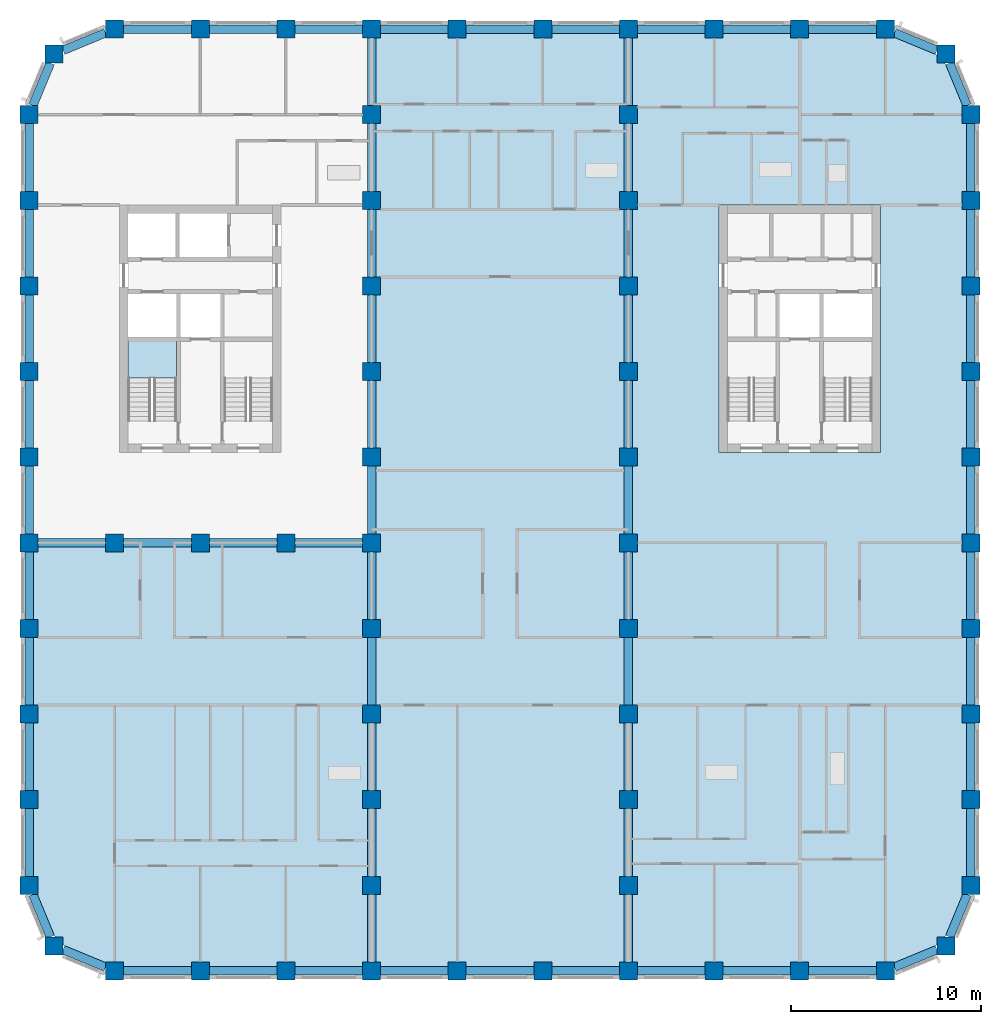
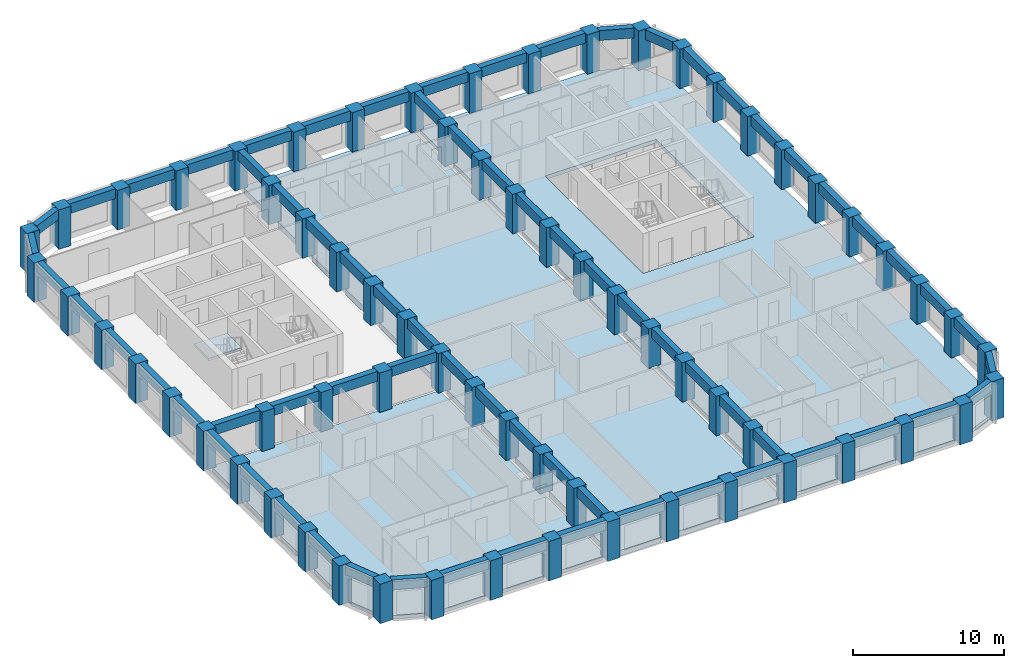
# One storey, part 1 of 13: 70 beams, 67 columns, 4 slabs, 1 element without a shape of its own.
"""IFC4 building model written with IfcOpenShell, lengths in metres."""

from ifc_helpers import new_model, si_unit, direction, frame, origin, origin_2d, place, context, subcontext, project, spatial, polyline, rectangle, outline, extrude, material, layer, layer_set, material_profile, profile_set, type_object, element, aggregate, save


model = new_model("IFC4")

# Units and contexts
model_context = context("Model", 3, precision=1e-05, world=origin(), true_north=direction((0.0, 1.0)))
body_context = subcontext(model_context, "Body", "Model", "MODEL_VIEW")
ifc_project = project(units=[si_unit("LENGTHUNIT", "METRE"), si_unit("AREAUNIT", "SQUARE_METRE"), si_unit("VOLUMEUNIT", "CUBIC_METRE"), si_unit("PLANEANGLEUNIT", "RADIAN"), si_unit("MASSUNIT", "GRAM", prefix="KILO")], contexts=[model_context])

# Site, building, storey
site_placement = place(None, origin())
site = spatial("IfcSite", under=ifc_project, at=site_placement, CompositionType="ELEMENT")
building_placement = place(site_placement, origin())
building = spatial("IfcBuilding", under=site, at=building_placement, Name="Girih Gate Residences", CompositionType="ELEMENT")
storey_placement = place(building_placement, frame((0.0, 0.0, 136.60009765625)))
storey = spatial("IfcBuildingStorey", under=building, at=storey_placement, Name="L38", CompositionType="ELEMENT", Elevation=136.60009765625)

# Columns
ifc_material_1 = material(Name="Concrete C70/85", Category="concrete")
ifc_material_profile_1 = material_profile(ifc_material_1, rectangle(XDim=0.949951171875, YDim=0.949951171875, at=origin_2d()))
ifc_profile_set_1 = profile_set([ifc_material_profile_1], Name="Concrete C70/85")
column_type = type_object("IfcColumnType", Name="Pier RC 950x950 Concrete C70/85", PredefinedType="COLUMN", material=ifc_profile_set_1)
for number, where, z_axis, x_axis, name in (
    (1, (4.5, 0.0, 0.0), (0.0, 0.0, 1.0), (1.0, 0.0, 0.0), "Pier P2A L38"),
    (2, (9.0, 0.0, 0.0), (0.0, 0.0, 1.0), (1.0, 0.0, 0.0), "Pier P3A L38"),
    (3, (13.5, 0.0, 0.0), (0.0, 0.0, 1.0), (1.0, 0.0, 0.0), "Pier P4A L38"),
    (4, (18.0, 0.0, 0.0), (0.0, 0.0, 1.0), (1.0, 0.0, 0.0), "Pier P5A L38"),
    (5, (22.5, 0.0, 0.0), (0.0, 0.0, 1.0), (1.0, 0.0, 0.0), "Pier P6A L38"),
    (6, (27.0, 0.0, 0.0), (0.0, 0.0, 1.0), (1.0, 0.0, 0.0), "Pier P7A L38"),
    (7, (31.5, 0.0, 0.0), (0.0, 0.0, 1.0), (1.0, 0.0, 0.0), "Pier P8A L38"),
    (8, (36.0, 0.0, 0.0), (0.0, 0.0, 1.0), (1.0, 0.0, 0.0), "Pier P9A L38"),
    (9, (40.5, 0.0, 0.0), (0.0, 0.0, 1.0), (1.0, 0.0, 0.0), "Pier P10A L38"),
    (10, (45.0, 0.0, 0.0), (0.0, 0.0, 1.0), (1.0, 0.0, 0.0), "Pier P11A L38"),
    (11, (1.318115234375, 1.318115234375, 0.0), (0.0, 0.0, 1.0), (1.0, 0.0, 0.0), "Pier P1ANE L38"),
    (12, (48.181884765625, 1.318115234375, 0.0), (0.0, 0.0, 1.0), (1.0, 0.0, 0.0), "Pier P12ANW L38"),
    (13, (0.0, 4.5, 0.0), (0.0, 0.0, 1.0), (1.0, 0.0, 0.0), "Pier P1B L38"),
    (14, (18.0, 4.5, 0.0), (0.0, 0.0, 1.0), (1.0, 0.0, 0.0), "Pier P5B L38"),
    (15, (31.5, 4.5, 0.0), (0.0, 0.0, 1.0), (1.0, 0.0, 0.0), "Pier P8B L38"),
    (16, (49.5, 4.5, 0.0), (0.0, 0.0, 1.0), (1.0, 0.0, 0.0), "Pier P12B L38"),
    (17, (0.0, 9.0, 0.0), (0.0, 0.0, 1.0), (1.0, 0.0, 0.0), "Pier P1C L38"),
    (18, (18.0, 9.0, 0.0), (0.0, 0.0, 1.0), (1.0, 0.0, 0.0), "Pier P5C L38"),
    (19, (31.5, 9.0, 0.0), (0.0, 0.0, 1.0), (1.0, 0.0, 0.0), "Pier P8C L38"),
    (20, (49.5, 9.0, 0.0), (0.0, 0.0, 1.0), (1.0, 0.0, 0.0), "Pier P12C L38"),
    (21, (0.0, 13.5, 0.0), (0.0, 0.0, 1.0), (1.0, 0.0, 0.0), "Pier P1D L38"),
    (22, (18.0, 13.5, 0.0), (0.0, 0.0, 1.0), (1.0, 0.0, 0.0), "Pier P5D L38"),
    (23, (31.5, 13.5, 0.0), (0.0, 0.0, 1.0), (1.0, 0.0, 0.0), "Pier P8D L38"),
    (24, (49.5, 13.5, 0.0), (0.0, 0.0, 1.0), (1.0, 0.0, 0.0), "Pier P12D L38"),
    (25, (0.0, 18.0, 0.0), (0.0, 0.0, 1.0), (1.0, 0.0, 0.0), "Pier P1E L38"),
    (26, (18.0, 18.0, 0.0), (0.0, 0.0, 1.0), (1.0, 0.0, 0.0), "Pier P5E L38"),
    (27, (31.5, 18.0, 0.0), (0.0, 0.0, 1.0), (1.0, 0.0, 0.0), "Pier P8E L38"),
    (28, (49.5, 18.0, 0.0), (0.0, 0.0, 1.0), (1.0, 0.0, 0.0), "Pier P12E L38"),
    (29, (0.0, 22.5, 0.0), (0.0, 0.0, 1.0), (1.0, 0.0, 0.0), "Pier P1F L38"),
    (30, (4.5, 22.5, 0.0), (0.0, 0.0, 1.0), (1.0, 0.0, 0.0), "Pier P2F L38"),
    (31, (9.0, 22.5, 0.0), (0.0, 0.0, 1.0), (1.0, 0.0, 0.0), "Pier P3F L38"),
    (32, (13.5, 22.5, 0.0), (0.0, 0.0, 1.0), (1.0, 0.0, 0.0), "Pier P4F L38"),
    (33, (18.0, 22.5, 0.0), (0.0, 0.0, 1.0), (1.0, 0.0, 0.0), "Pier P5F L38"),
    (34, (31.5, 22.5, 0.0), (0.0, 0.0, 1.0), (1.0, 0.0, 0.0), "Pier P8F L38"),
    (35, (49.5, 22.5, 0.0), (0.0, 0.0, 1.0), (1.0, 0.0, 0.0), "Pier P12F L38"),
    (36, (0.0, 27.0, 0.0), (0.0, 0.0, 1.0), (1.0, 0.0, 0.0), "Pier P1G L38"),
    (37, (18.0, 27.0, 0.0), (0.0, 0.0, 1.0), (1.0, 0.0, 0.0), "Pier P5G L38"),
    (38, (31.5, 27.0, 0.0), (0.0, 0.0, 1.0), (1.0, 0.0, 0.0), "Pier P8G L38"),
    (39, (49.5, 27.0, 0.0), (0.0, 0.0, 1.0), (1.0, 0.0, 0.0), "Pier P12G L38"),
    (40, (0.0, 31.5, 0.0), (0.0, 0.0, 1.0), (1.0, 0.0, 0.0), "Pier P1H L38"),
    (41, (18.0, 31.5, 0.0), (0.0, 0.0, 1.0), (1.0, 0.0, 0.0), "Pier P5H L38"),
    (42, (31.5, 31.5, 0.0), (0.0, 0.0, 1.0), (1.0, 0.0, 0.0), "Pier P8H L38"),
    (43, (49.5, 31.5, 0.0), (0.0, 0.0, 1.0), (1.0, 0.0, 0.0), "Pier P12H L38"),
    (44, (0.0, 36.0, 0.0), (0.0, 0.0, 1.0), (1.0, 0.0, 0.0), "Pier P1I L38"),
    (45, (18.0, 36.0, 0.0), (0.0, 0.0, 1.0), (1.0, 0.0, 0.0), "Pier P5I L38"),
    (46, (31.5, 36.0, 0.0), (0.0, 0.0, 1.0), (1.0, 0.0, 0.0), "Pier P8I L38"),
    (47, (49.5, 36.0, 0.0), (0.0, 0.0, 1.0), (1.0, 0.0, 0.0), "Pier P12I L38"),
    (48, (0.0, 40.5, 0.0), (0.0, 0.0, 1.0), (1.0, 0.0, 0.0), "Pier P1J L38"),
    (49, (18.0, 40.5, 0.0), (0.0, 0.0, 1.0), (1.0, 0.0, 0.0), "Pier P5J L38"),
    (50, (31.5, 40.5, 0.0), (0.0, 0.0, 1.0), (1.0, 0.0, 0.0), "Pier P8J L38"),
    (51, (49.5, 40.5, 0.0), (0.0, 0.0, 1.0), (1.0, 0.0, 0.0), "Pier P12J L38"),
    (52, (0.0, 45.0, 0.0), (0.0, 0.0, 1.0), (1.0, 0.0, 0.0), "Pier P1K L38"),
    (53, (18.0, 45.0, 0.0), (0.0, 0.0, 1.0), (1.0, 0.0, 0.0), "Pier P5K L38"),
    (54, (31.5, 45.0, 0.0), (0.0, 0.0, 1.0), (1.0, 0.0, 0.0), "Pier P8K L38"),
    (55, (49.5, 45.0, 0.0), (0.0, 0.0, 1.0), (1.0, 0.0, 0.0), "Pier P12K L38"),
    (56, (1.318115234375, 48.181884765625, 0.0), (0.0, 0.0, 1.0), (1.0, 0.0, 0.0), "Pier P1LSE L38"),
    (57, (48.181884765625, 48.181884765625, 0.0), (0.0, 0.0, 1.0), (1.0, 0.0, 0.0), "Pier P12LSW L38"),
    (58, (4.5, 49.5, 0.0), (0.0, 0.0, 1.0), (1.0, 0.0, 0.0), "Pier P2L L38"),
    (59, (9.0, 49.5, 0.0), (0.0, 0.0, 1.0), (1.0, 0.0, 0.0), "Pier P3L L38"),
    (60, (13.5, 49.5, 0.0), (0.0, 0.0, 1.0), (1.0, 0.0, 0.0), "Pier P4L L38"),
    (61, (18.0, 49.5, 0.0), (0.0, 0.0, 1.0), (1.0, 0.0, 0.0), "Pier P5L L38"),
    (62, (22.5, 49.5, 0.0), (0.0, 0.0, 1.0), (1.0, 0.0, 0.0), "Pier P6L L38"),
    (63, (27.0, 49.5, 0.0), (0.0, 0.0, 1.0), (1.0, 0.0, 0.0), "Pier P7L L38"),
    (64, (31.5, 49.5, 0.0), (0.0, 0.0, 1.0), (1.0, 0.0, 0.0), "Pier P8L L38"),
    (65, (36.0, 49.5, 0.0), (0.0, 0.0, 1.0), (1.0, 0.0, 0.0), "Pier P9L L38"),
    (66, (40.5, 49.5, 0.0), (0.0, 0.0, 1.0), (1.0, 0.0, 0.0), "Pier P10L L38"),
    (67, (45.0, 49.5, 0.0), (0.0, 0.0, 1.0), (1.0, 0.0, 0.0), "Pier P11L L38"),
):
    element("IfcColumn", number, at=place(storey_placement, frame(where, z_axis=z_axis, x_axis=x_axis)), inside=storey, type_object=column_type, Name=name, PredefinedType="COLUMN", context=body_context, shape_type="SweptSolid", body=[
        extrude(rectangle(XDim=0.949951171875, YDim=0.949951171875, at=origin_2d()), origin(), (0.0, 0.0, 1.0), 3.199951171875),
    ])

# Beams
ifc_material_2 = material(Name="Concrete C60/75", Category="concrete")
ifc_material_profile_2 = material_profile(ifc_material_2, rectangle(XDim=0.449951171875, YDim=0.800048828125, at=origin_2d()))
ifc_profile_set_2 = profile_set([ifc_material_profile_2], Name="Concrete C60/75")
beam_type = type_object("IfcBeamType", Name="Spandrel girder RC 450x800 Concrete C60/75", PredefinedType="BEAM", material=ifc_profile_set_2)
for number, where, z_axis, x_axis, name in (
    (68, (0.19677734375, 4.02490234375, 2.7998046875), (0.382705825988, -0.923870256451, 0.0), (0.923870256451, 0.382705825988, 0.0), "Spandrel girder SP-P1B-P1ANE L38"),
    (69, (1.79296875, 1.121337890625, 2.7998046875), (0.923870256451, -0.382705825988, 0.0), (0.382705825988, 0.923870256451, 0.0), "Spandrel girder SP-P1ANE-P2A L38"),
):
    element("IfcBeam", number, at=place(storey_placement, frame(where, z_axis=z_axis, x_axis=x_axis)), inside=storey, type_object=beam_type, Name=name, PredefinedType="BEAM", context=body_context, shape_type="SweptSolid", body=[
        extrude(rectangle(XDim=0.449951171875, YDim=0.800048828125, at=origin_2d()), origin(), (0.0, 0.0, 1.0), 2.415771484375),
    ])
for number, where, z_axis, x_axis, name in (
    (70, (4.97509765625, 0.0, 2.7998046875), (1.0, 0.0, 0.0), (0.0, 1.0, 0.0), "Spandrel girder SP-P2A-P3A L38"),
    (71, (9.47509765625, 0.0, 2.7998046875), (1.0, 0.0, 0.0), (0.0, 1.0, 0.0), "Spandrel girder SP-P3A-P4A L38"),
    (72, (13.97509765625, 0.0, 2.7998046875), (1.0, 0.0, 0.0), (0.0, 1.0, 0.0), "Spandrel girder SP-P4A-P5A L38"),
    (73, (18.47509765625, 0.0, 2.7998046875), (1.0, 0.0, 0.0), (0.0, 1.0, 0.0), "Spandrel girder SP-P5A-P6A L38"),
    (74, (22.97509765625, 0.0, 2.7998046875), (1.0, 0.0, 0.0), (0.0, 1.0, 0.0), "Spandrel girder SP-P6A-P7A L38"),
    (75, (27.47509765625, 0.0, 2.7998046875), (1.0, 0.0, 0.0), (0.0, 1.0, 0.0), "Spandrel girder SP-P7A-P8A L38"),
    (76, (31.97509765625, 0.0, 2.7998046875), (1.0, 0.0, 0.0), (0.0, 1.0, 0.0), "Spandrel girder SP-P8A-P9A L38"),
    (77, (36.47509765625, 0.0, 2.7998046875), (1.0, 0.0, 0.0), (0.0, 1.0, 0.0), "Spandrel girder SP-P9A-P10A L38"),
    (78, (40.97509765625, 0.0, 2.7998046875), (1.0, 0.0, 0.0), (0.0, 1.0, 0.0), "Spandrel girder SP-P10A-P11A L38"),
):
    element("IfcBeam", number, at=place(storey_placement, frame(where, z_axis=z_axis, x_axis=x_axis)), inside=storey, type_object=beam_type, Name=name, PredefinedType="BEAM", context=body_context, shape_type="SweptSolid", body=[
        extrude(rectangle(XDim=0.449951171875, YDim=0.800048828125, at=origin_2d()), origin(), (0.0, 0.0, 1.0), 3.5498046875),
    ])
for number, where, z_axis, x_axis, name in (
    (79, (45.47509765625, 0.19677734375, 2.7998046875), (0.923870256451, 0.382705825988, 0.0), (-0.382705825988, 0.923870256451, 0.0), "Spandrel girder SP-P11A-P12ANW L38"),
    (80, (48.378662109375, 1.79296875, 2.7998046875), (0.382705825988, 0.923870256451, 0.0), (-0.923870256451, 0.382705825988, 0.0), "Spandrel girder SP-P12ANW-P12B L38"),
):
    element("IfcBeam", number, at=place(storey_placement, frame(where, z_axis=z_axis, x_axis=x_axis)), inside=storey, type_object=beam_type, Name=name, PredefinedType="BEAM", context=body_context, shape_type="SweptSolid", body=[
        extrude(rectangle(XDim=0.449951171875, YDim=0.800048828125, at=origin_2d()), origin(), (0.0, 0.0, 1.0), 2.415771484375),
    ])
for number, where, z_axis, x_axis, name in (
    (81, (49.5, 4.97509765625, 2.7998046875), (0.0, 1.0, 0.0), (-1.0, 0.0, 0.0), "Spandrel girder SP-P12B-P12C L38"),
    (82, (49.5, 9.47509765625, 2.7998046875), (0.0, 1.0, 0.0), (-1.0, 0.0, 0.0), "Spandrel girder SP-P12C-P12D L38"),
    (83, (49.5, 13.97509765625, 2.7998046875), (0.0, 1.0, 0.0), (-1.0, 0.0, 0.0), "Spandrel girder SP-P12D-P12E L38"),
    (84, (49.5, 18.47509765625, 2.7998046875), (0.0, 1.0, 0.0), (-1.0, 0.0, 0.0), "Spandrel girder SP-P12E-P12F L38"),
    (85, (49.5, 22.97509765625, 2.7998046875), (0.0, 1.0, 0.0), (-1.0, 0.0, 0.0), "Spandrel girder SP-P12F-P12G L38"),
    (86, (49.5, 27.47509765625, 2.7998046875), (0.0, 1.0, 0.0), (-1.0, 0.0, 0.0), "Spandrel girder SP-P12G-P12H L38"),
    (87, (49.5, 31.97509765625, 2.7998046875), (0.0, 1.0, 0.0), (-1.0, 0.0, 0.0), "Spandrel girder SP-P12H-P12I L38"),
    (88, (49.5, 36.47509765625, 2.7998046875), (0.0, 1.0, 0.0), (-1.0, 0.0, 0.0), "Spandrel girder SP-P12I-P12J L38"),
    (89, (49.5, 40.97509765625, 2.7998046875), (0.0, 1.0, 0.0), (-1.0, 0.0, 0.0), "Spandrel girder SP-P12J-P12K L38"),
):
    element("IfcBeam", number, at=place(storey_placement, frame(where, z_axis=z_axis, x_axis=x_axis)), inside=storey, type_object=beam_type, Name=name, PredefinedType="BEAM", context=body_context, shape_type="SweptSolid", body=[
        extrude(rectangle(XDim=0.449951171875, YDim=0.800048828125, at=origin_2d()), origin(), (0.0, 0.0, 1.0), 3.5498046875),
    ])
for number, where, z_axis, x_axis, name in (
    (90, (49.30322265625, 45.47509765625, 2.7998046875), (-0.382705825988, 0.923870256451, 0.0), (-0.923870256451, -0.382705825988, 0.0), "Spandrel girder SP-P12K-P12LSW L38"),
    (91, (47.70703125, 48.378662109375, 2.7998046875), (-0.923870256451, 0.382705825988, 0.0), (-0.382705825988, -0.923870256451, 0.0), "Spandrel girder SP-P12LSW-P11L L38"),
):
    element("IfcBeam", number, at=place(storey_placement, frame(where, z_axis=z_axis, x_axis=x_axis)), inside=storey, type_object=beam_type, Name=name, PredefinedType="BEAM", context=body_context, shape_type="SweptSolid", body=[
        extrude(rectangle(XDim=0.449951171875, YDim=0.800048828125, at=origin_2d()), origin(), (0.0, 0.0, 1.0), 2.415771484375),
    ])
for number, where, z_axis, x_axis, name in (
    (92, (44.52490234375, 49.5, 2.7998046875), (-1.0, 0.0, 0.0), (0.0, -1.0, 0.0), "Spandrel girder SP-P11L-P10L L38"),
    (93, (40.02490234375, 49.5, 2.7998046875), (-1.0, 0.0, 0.0), (0.0, -1.0, 0.0), "Spandrel girder SP-P10L-P9L L38"),
    (94, (35.52490234375, 49.5, 2.7998046875), (-1.0, 0.0, 0.0), (0.0, -1.0, 0.0), "Spandrel girder SP-P9L-P8L L38"),
    (95, (31.02490234375, 49.5, 2.7998046875), (-1.0, 0.0, 0.0), (0.0, -1.0, 0.0), "Spandrel girder SP-P8L-P7L L38"),
    (96, (26.52490234375, 49.5, 2.7998046875), (-1.0, 0.0, 0.0), (0.0, -1.0, 0.0), "Spandrel girder SP-P7L-P6L L38"),
    (97, (22.02490234375, 49.5, 2.7998046875), (-1.0, 0.0, 0.0), (0.0, -1.0, 0.0), "Spandrel girder SP-P6L-P5L L38"),
    (98, (17.52490234375, 49.5, 2.7998046875), (-1.0, 0.0, 0.0), (0.0, -1.0, 0.0), "Spandrel girder SP-P5L-P4L L38"),
    (99, (13.02490234375, 49.5, 2.7998046875), (-1.0, 0.0, 0.0), (0.0, -1.0, 0.0), "Spandrel girder SP-P4L-P3L L38"),
    (100, (8.52490234375, 49.5, 2.7998046875), (-1.0, 0.0, 0.0), (0.0, -1.0, 0.0), "Spandrel girder SP-P3L-P2L L38"),
):
    element("IfcBeam", number, at=place(storey_placement, frame(where, z_axis=z_axis, x_axis=x_axis)), inside=storey, type_object=beam_type, Name=name, PredefinedType="BEAM", context=body_context, shape_type="SweptSolid", body=[
        extrude(rectangle(XDim=0.449951171875, YDim=0.800048828125, at=origin_2d()), origin(), (0.0, 0.0, 1.0), 3.5498046875),
    ])
for number, where, z_axis, x_axis, name in (
    (101, (4.02490234375, 49.30322265625, 2.7998046875), (-0.923870256451, -0.382705825988, 0.0), (0.382705825988, -0.923870256451, 0.0), "Spandrel girder SP-P2L-P1LSE L38"),
    (102, (1.121337890625, 47.70703125, 2.7998046875), (-0.382705825988, -0.923870256451, 0.0), (0.923870256451, -0.382705825988, 0.0), "Spandrel girder SP-P1LSE-P1K L38"),
):
    element("IfcBeam", number, at=place(storey_placement, frame(where, z_axis=z_axis, x_axis=x_axis)), inside=storey, type_object=beam_type, Name=name, PredefinedType="BEAM", context=body_context, shape_type="SweptSolid", body=[
        extrude(rectangle(XDim=0.449951171875, YDim=0.800048828125, at=origin_2d()), origin(), (0.0, 0.0, 1.0), 2.415771484375),
    ])
for number, where, z_axis, x_axis, name in (
    (103, (0.0, 44.52490234375, 2.7998046875), (0.0, -1.0, 0.0), (1.0, 0.0, 0.0), "Spandrel girder SP-P1K-P1J L38"),
    (104, (0.0, 40.02490234375, 2.7998046875), (0.0, -1.0, 0.0), (1.0, 0.0, 0.0), "Spandrel girder SP-P1J-P1I L38"),
    (105, (0.0, 35.52490234375, 2.7998046875), (0.0, -1.0, 0.0), (1.0, 0.0, 0.0), "Spandrel girder SP-P1I-P1H L38"),
    (106, (0.0, 31.02490234375, 2.7998046875), (0.0, -1.0, 0.0), (1.0, 0.0, 0.0), "Spandrel girder SP-P1H-P1G L38"),
    (107, (0.0, 26.52490234375, 2.7998046875), (0.0, -1.0, 0.0), (1.0, 0.0, 0.0), "Spandrel girder SP-P1G-P1F L38"),
    (108, (0.0, 22.02490234375, 2.7998046875), (0.0, -1.0, 0.0), (1.0, 0.0, 0.0), "Spandrel girder SP-P1F-P1E L38"),
    (109, (0.0, 17.52490234375, 2.7998046875), (0.0, -1.0, 0.0), (1.0, 0.0, 0.0), "Spandrel girder SP-P1E-P1D L38"),
    (110, (0.0, 13.02490234375, 2.7998046875), (0.0, -1.0, 0.0), (1.0, 0.0, 0.0), "Spandrel girder SP-P1D-P1C L38"),
    (111, (0.0, 8.52490234375, 2.7998046875), (0.0, -1.0, 0.0), (1.0, 0.0, 0.0), "Spandrel girder SP-P1C-P1B L38"),
    (112, (18.0, 0.47509765625, 2.7998046875), (0.0, 1.0, 0.0), (-1.0, 0.0, 0.0), "Spandrel girder SP-P5A-P5B L38"),
    (113, (18.0, 4.97509765625, 2.7998046875), (0.0, 1.0, 0.0), (-1.0, 0.0, 0.0), "Spandrel girder SP-P5B-P5C L38"),
    (114, (18.0, 9.47509765625, 2.7998046875), (0.0, 1.0, 0.0), (-1.0, 0.0, 0.0), "Spandrel girder SP-P5C-P5D L38"),
    (115, (18.0, 13.97509765625, 2.7998046875), (0.0, 1.0, 0.0), (-1.0, 0.0, 0.0), "Spandrel girder SP-P5D-P5E L38"),
    (116, (18.0, 18.47509765625, 2.7998046875), (0.0, 1.0, 0.0), (-1.0, 0.0, 0.0), "Spandrel girder SP-P5E-P5F L38"),
    (117, (18.0, 22.97509765625, 2.7998046875), (0.0, 1.0, 0.0), (-1.0, 0.0, 0.0), "Spandrel girder SP-P5F-P5G L38"),
    (118, (18.0, 27.47509765625, 2.7998046875), (0.0, 1.0, 0.0), (-1.0, 0.0, 0.0), "Spandrel girder SP-P5G-P5H L38"),
    (119, (18.0, 31.97509765625, 2.7998046875), (0.0, 1.0, 0.0), (-1.0, 0.0, 0.0), "Spandrel girder SP-P5H-P5I L38"),
    (120, (18.0, 36.47509765625, 2.7998046875), (0.0, 1.0, 0.0), (-1.0, 0.0, 0.0), "Spandrel girder SP-P5I-P5J L38"),
    (121, (18.0, 40.97509765625, 2.7998046875), (0.0, 1.0, 0.0), (-1.0, 0.0, 0.0), "Spandrel girder SP-P5J-P5K L38"),
    (122, (18.0, 45.47509765625, 2.7998046875), (0.0, 1.0, 0.0), (-1.0, 0.0, 0.0), "Spandrel girder SP-P5K-P5L L38"),
    (123, (31.5, 0.47509765625, 2.7998046875), (0.0, 1.0, 0.0), (-1.0, 0.0, 0.0), "Spandrel girder SP-P8A-P8B L38"),
    (124, (31.5, 4.97509765625, 2.7998046875), (0.0, 1.0, 0.0), (-1.0, 0.0, 0.0), "Spandrel girder SP-P8B-P8C L38"),
    (125, (31.5, 9.47509765625, 2.7998046875), (0.0, 1.0, 0.0), (-1.0, 0.0, 0.0), "Spandrel girder SP-P8C-P8D L38"),
    (126, (31.5, 13.97509765625, 2.7998046875), (0.0, 1.0, 0.0), (-1.0, 0.0, 0.0), "Spandrel girder SP-P8D-P8E L38"),
    (127, (31.5, 18.47509765625, 2.7998046875), (0.0, 1.0, 0.0), (-1.0, 0.0, 0.0), "Spandrel girder SP-P8E-P8F L38"),
    (128, (31.5, 22.97509765625, 2.7998046875), (0.0, 1.0, 0.0), (-1.0, 0.0, 0.0), "Spandrel girder SP-P8F-P8G L38"),
    (129, (31.5, 27.47509765625, 2.7998046875), (0.0, 1.0, 0.0), (-1.0, 0.0, 0.0), "Spandrel girder SP-P8G-P8H L38"),
    (130, (31.5, 31.97509765625, 2.7998046875), (0.0, 1.0, 0.0), (-1.0, 0.0, 0.0), "Spandrel girder SP-P8H-P8I L38"),
    (131, (31.5, 36.47509765625, 2.7998046875), (0.0, 1.0, 0.0), (-1.0, 0.0, 0.0), "Spandrel girder SP-P8I-P8J L38"),
    (132, (31.5, 40.97509765625, 2.7998046875), (0.0, 1.0, 0.0), (-1.0, 0.0, 0.0), "Spandrel girder SP-P8J-P8K L38"),
    (133, (31.5, 45.47509765625, 2.7998046875), (0.0, 1.0, 0.0), (-1.0, 0.0, 0.0), "Spandrel girder SP-P8K-P8L L38"),
    (134, (0.47509765625, 22.5, 2.7998046875), (1.0, 0.0, 0.0), (0.0, 1.0, 0.0), "Spandrel girder SP-P1F-P2F L38"),
    (135, (4.97509765625, 22.5, 2.7998046875), (1.0, 0.0, 0.0), (0.0, 1.0, 0.0), "Spandrel girder SP-P2F-P3F L38"),
    (136, (9.47509765625, 22.5, 2.7998046875), (1.0, 0.0, 0.0), (0.0, 1.0, 0.0), "Spandrel girder SP-P3F-P4F L38"),
    (137, (13.97509765625, 22.5, 2.7998046875), (1.0, 0.0, 0.0), (0.0, 1.0, 0.0), "Spandrel girder SP-P4F-P5F L38"),
):
    element("IfcBeam", number, at=place(storey_placement, frame(where, z_axis=z_axis, x_axis=x_axis)), inside=storey, type_object=beam_type, Name=name, PredefinedType="BEAM", context=body_context, shape_type="SweptSolid", body=[
        extrude(rectangle(XDim=0.449951171875, YDim=0.800048828125, at=origin_2d()), origin(), (0.0, 0.0, 1.0), 3.5498046875),
    ])

# Slabs
ifc_material_3 = material(Name="Concrete C40/50", Category="concrete")
ifc_layer_1 = layer(ifc_material_3, 0.300048828125)
ifc_layer_set_1 = layer_set([ifc_layer_1], Name="Floor slab PT 300 Concrete C40/50")
slab_type_1 = type_object("IfcSlabType", Name="Floor slab PT 300 Concrete C40/50", PredefinedType="FLOOR", material=ifc_layer_set_1)
slab_1_placement = place(storey_placement, frame((0.0, 0.0, -0.300048828125)))
element("IfcSlab", 138, at=slab_1_placement, inside=storey, type_object=slab_type_1, Name="Floor slab L38 0", PredefinedType="FLOOR", context=body_context, shape_type="SweptSolid", body=[
    extrude(outline(polyline([(0.22509765625, 8.52490234375), (0.22509765625, 4.97509765625), (0.47509765625, 4.97509765625), (0.47509765625, 4.02490234375), (0.440185546875, 4.02490234375), (1.36474609375, 1.79296875), (1.79296875, 1.79296875), (1.79296875, 1.36474609375), (4.02490234375, 0.440185546875), (4.02490234375, 0.47509765625), (4.97509765625, 0.47509765625), (4.97509765625, 0.22509765625), (8.52490234375, 0.22509765625), (8.52490234375, 0.47509765625), (9.47509765625, 0.47509765625), (9.47509765625, 0.22509765625), (13.02490234375, 0.22509765625), (13.02490234375, 0.47509765625), (13.97509765625, 0.47509765625), (13.97509765625, 0.22509765625), (17.52490234375, 0.22509765625), (17.52490234375, 0.47509765625), (17.77490234375, 0.47509765625), (17.77490234375, 4.02490234375), (17.52490234375, 4.02490234375), (17.52490234375, 4.97509765625), (17.77490234375, 4.97509765625), (17.77490234375, 8.52490234375), (17.52490234375, 8.52490234375), (17.52490234375, 9.47509765625), (17.77490234375, 9.47509765625), (17.77490234375, 13.02490234375), (17.52490234375, 13.02490234375), (17.52490234375, 13.97509765625), (17.77490234375, 13.97509765625), (17.77490234375, 17.52490234375), (17.52490234375, 17.52490234375), (17.52490234375, 18.47509765625), (17.77490234375, 18.47509765625), (17.77490234375, 22.02490234375), (17.52490234375, 22.02490234375), (17.52490234375, 22.27490234375), (13.97509765625, 22.27490234375), (13.97509765625, 22.02490234375), (13.02490234375, 22.02490234375), (13.02490234375, 22.27490234375), (9.47509765625, 22.27490234375), (9.47509765625, 22.02490234375), (8.52490234375, 22.02490234375), (8.52490234375, 22.27490234375), (4.97509765625, 22.27490234375), (4.97509765625, 22.02490234375), (4.02490234375, 22.02490234375), (4.02490234375, 22.27490234375), (0.47509765625, 22.27490234375), (0.47509765625, 22.02490234375), (0.22509765625, 22.02490234375), (0.22509765625, 18.47509765625), (0.47509765625, 18.47509765625), (0.47509765625, 17.52490234375), (0.22509765625, 17.52490234375), (0.22509765625, 13.97509765625), (0.47509765625, 13.97509765625), (0.47509765625, 13.02490234375), (0.22509765625, 13.02490234375), (0.22509765625, 9.47509765625), (0.47509765625, 9.47509765625), (0.47509765625, 8.52490234375), (0.22509765625, 8.52490234375)])), origin(), (0.0, 0.0, 1.0), 0.300048828125),
])
slab_2_placement = place(storey_placement, frame((0.0, 0.0, -0.300048828125)))
element("IfcSlab", 139, at=slab_2_placement, inside=storey, type_object=slab_type_1, Name="Floor slab L38 1", PredefinedType="FLOOR", context=body_context, shape_type="SweptSolid", body=[
    extrude(outline(polyline([(35.52490234375, 49.27490234375), (31.97509765625, 49.27490234375), (31.97509765625, 49.02490234375), (31.72509765625, 49.02490234375), (31.72509765625, 45.47509765625), (31.97509765625, 45.47509765625), (31.97509765625, 44.52490234375), (31.72509765625, 44.52490234375), (31.72509765625, 40.97509765625), (31.97509765625, 40.97509765625), (31.97509765625, 40.02490234375), (31.72509765625, 40.02490234375), (31.72509765625, 36.47509765625), (31.97509765625, 36.47509765625), (31.97509765625, 35.52490234375), (31.72509765625, 35.52490234375), (31.72509765625, 31.97509765625), (31.97509765625, 31.97509765625), (31.97509765625, 31.02490234375), (31.72509765625, 31.02490234375), (31.72509765625, 27.47509765625), (31.97509765625, 27.47509765625), (31.97509765625, 26.52490234375), (31.72509765625, 26.52490234375), (31.72509765625, 22.97509765625), (31.97509765625, 22.97509765625), (31.97509765625, 22.02490234375), (31.72509765625, 22.02490234375), (31.72509765625, 18.47509765625), (31.97509765625, 18.47509765625), (31.97509765625, 17.52490234375), (31.72509765625, 17.52490234375), (31.72509765625, 13.97509765625), (31.97509765625, 13.97509765625), (31.97509765625, 13.02490234375), (31.72509765625, 13.02490234375), (31.72509765625, 9.47509765625), (31.97509765625, 9.47509765625), (31.97509765625, 8.52490234375), (31.72509765625, 8.52490234375), (31.72509765625, 4.97509765625), (31.97509765625, 4.97509765625), (31.97509765625, 4.02490234375), (31.72509765625, 4.02490234375), (31.72509765625, 0.47509765625), (31.97509765625, 0.47509765625), (31.97509765625, 0.22509765625), (35.52490234375, 0.22509765625), (35.52490234375, 0.47509765625), (36.47509765625, 0.47509765625), (36.47509765625, 0.22509765625), (40.02490234375, 0.22509765625), (40.02490234375, 0.47509765625), (40.97509765625, 0.47509765625), (40.97509765625, 0.22509765625), (44.52490234375, 0.22509765625), (44.52490234375, 0.47509765625), (45.47509765625, 0.47509765625), (45.47509765625, 0.440185546875), (47.70703125, 1.36474609375), (47.70703125, 1.79296875), (48.13525390625, 1.79296875), (49.059814453125, 4.02490234375), (49.02490234375, 4.02490234375), (49.02490234375, 4.97509765625), (49.27490234375, 4.97509765625), (49.27490234375, 8.52490234375), (49.02490234375, 8.52490234375), (49.02490234375, 9.47509765625), (49.27490234375, 9.47509765625), (49.27490234375, 13.02490234375), (49.02490234375, 13.02490234375), (49.02490234375, 13.97509765625), (49.27490234375, 13.97509765625), (49.27490234375, 17.52490234375), (49.02490234375, 17.52490234375), (49.02490234375, 18.47509765625), (49.27490234375, 18.47509765625), (49.27490234375, 22.02490234375), (49.02490234375, 22.02490234375), (49.02490234375, 22.97509765625), (49.27490234375, 22.97509765625), (49.27490234375, 26.52490234375), (49.02490234375, 26.52490234375), (49.02490234375, 27.47509765625), (49.27490234375, 27.47509765625), (49.27490234375, 31.02490234375), (49.02490234375, 31.02490234375), (49.02490234375, 31.97509765625), (49.27490234375, 31.97509765625), (49.27490234375, 35.52490234375), (49.02490234375, 35.52490234375), (49.02490234375, 36.47509765625), (49.27490234375, 36.47509765625), (49.27490234375, 40.02490234375), (49.02490234375, 40.02490234375), (49.02490234375, 40.97509765625), (49.27490234375, 40.97509765625), (49.27490234375, 44.52490234375), (49.02490234375, 44.52490234375), (49.02490234375, 45.47509765625), (49.059814453125, 45.47509765625), (48.13525390625, 47.70703125), (47.70703125, 47.70703125), (47.70703125, 48.13525390625), (45.47509765625, 49.059814453125), (45.47509765625, 49.02490234375), (44.52490234375, 49.02490234375), (44.52490234375, 49.27490234375), (40.97509765625, 49.27490234375), (40.97509765625, 49.02490234375), (40.02490234375, 49.02490234375), (40.02490234375, 49.27490234375), (36.47509765625, 49.27490234375), (36.47509765625, 49.02490234375), (35.52490234375, 49.02490234375), (35.52490234375, 49.27490234375)]), holes=[polyline([(44.75, 40.25), (44.75, 27.25), (36.25, 27.25), (36.25, 40.25), (44.75, 40.25)])]), origin(), (0.0, 0.0, 1.0), 0.300048828125),
])
ifc_layer_2 = layer(ifc_material_3, 0.449951171875)
ifc_layer_set_2 = layer_set([ifc_layer_2], Name="Floor slab PT 450 Concrete C40/50")
slab_type_2 = type_object("IfcSlabType", Name="Floor slab PT 450 Concrete C40/50", PredefinedType="FLOOR", material=ifc_layer_set_2)
slab_3_placement = place(storey_placement, frame((0.0, 0.0, -0.4501953125)))
element("IfcSlab", 140, at=slab_3_placement, inside=storey, type_object=slab_type_2, Name="Floor slab L38 2", PredefinedType="FLOOR", context=body_context, shape_type="SweptSolid", body=[
    extrude(outline(polyline([(22.02490234375, 49.27490234375), (18.47509765625, 49.27490234375), (18.47509765625, 49.02490234375), (18.22509765625, 49.02490234375), (18.22509765625, 45.47509765625), (18.47509765625, 45.47509765625), (18.47509765625, 44.52490234375), (18.22509765625, 44.52490234375), (18.22509765625, 40.97509765625), (18.47509765625, 40.97509765625), (18.47509765625, 40.02490234375), (18.22509765625, 40.02490234375), (18.22509765625, 36.47509765625), (18.47509765625, 36.47509765625), (18.47509765625, 35.52490234375), (18.22509765625, 35.52490234375), (18.22509765625, 31.97509765625), (18.47509765625, 31.97509765625), (18.47509765625, 31.02490234375), (18.22509765625, 31.02490234375), (18.22509765625, 27.47509765625), (18.47509765625, 27.47509765625), (18.47509765625, 26.52490234375), (18.22509765625, 26.52490234375), (18.22509765625, 22.97509765625), (18.47509765625, 22.97509765625), (18.47509765625, 22.02490234375), (18.22509765625, 22.02490234375), (18.22509765625, 18.47509765625), (18.47509765625, 18.47509765625), (18.47509765625, 17.52490234375), (18.22509765625, 17.52490234375), (18.22509765625, 13.97509765625), (18.47509765625, 13.97509765625), (18.47509765625, 13.02490234375), (18.22509765625, 13.02490234375), (18.22509765625, 9.47509765625), (18.47509765625, 9.47509765625), (18.47509765625, 8.52490234375), (18.22509765625, 8.52490234375), (18.22509765625, 4.97509765625), (18.47509765625, 4.97509765625), (18.47509765625, 4.02490234375), (18.22509765625, 4.02490234375), (18.22509765625, 0.47509765625), (18.47509765625, 0.47509765625), (18.47509765625, 0.22509765625), (22.02490234375, 0.22509765625), (22.02490234375, 0.47509765625), (22.97509765625, 0.47509765625), (22.97509765625, 0.22509765625), (26.52490234375, 0.22509765625), (26.52490234375, 0.47509765625), (27.47509765625, 0.47509765625), (27.47509765625, 0.22509765625), (31.02490234375, 0.22509765625), (31.02490234375, 0.47509765625), (31.27490234375, 0.47509765625), (31.27490234375, 4.02490234375), (31.02490234375, 4.02490234375), (31.02490234375, 4.97509765625), (31.27490234375, 4.97509765625), (31.27490234375, 8.52490234375), (31.02490234375, 8.52490234375), (31.02490234375, 9.47509765625), (31.27490234375, 9.47509765625), (31.27490234375, 13.02490234375), (31.02490234375, 13.02490234375), (31.02490234375, 13.97509765625), (31.27490234375, 13.97509765625), (31.27490234375, 17.52490234375), (31.02490234375, 17.52490234375), (31.02490234375, 18.47509765625), (31.27490234375, 18.47509765625), (31.27490234375, 22.02490234375), (31.02490234375, 22.02490234375), (31.02490234375, 22.97509765625), (31.27490234375, 22.97509765625), (31.27490234375, 26.52490234375), (31.02490234375, 26.52490234375), (31.02490234375, 27.47509765625), (31.27490234375, 27.47509765625), (31.27490234375, 31.02490234375), (31.02490234375, 31.02490234375), (31.02490234375, 31.97509765625), (31.27490234375, 31.97509765625), (31.27490234375, 35.52490234375), (31.02490234375, 35.52490234375), (31.02490234375, 36.47509765625), (31.27490234375, 36.47509765625), (31.27490234375, 40.02490234375), (31.02490234375, 40.02490234375), (31.02490234375, 40.97509765625), (31.27490234375, 40.97509765625), (31.27490234375, 44.52490234375), (31.02490234375, 44.52490234375), (31.02490234375, 45.47509765625), (31.27490234375, 45.47509765625), (31.27490234375, 49.02490234375), (31.02490234375, 49.02490234375), (31.02490234375, 49.27490234375), (27.47509765625, 49.27490234375), (27.47509765625, 49.02490234375), (26.52490234375, 49.02490234375), (26.52490234375, 49.27490234375), (22.97509765625, 49.27490234375), (22.97509765625, 49.02490234375), (22.02490234375, 49.02490234375), (22.02490234375, 49.27490234375)])), origin(), (0.0, 0.0, 1.0), 0.4501953125),
])

# Stair, slab
stair_type = type_object("IfcStairType", Name="Exit stair", PredefinedType="HALF_TURN_STAIR", material=ifc_material_3)
stair_placement = place(storey_placement, origin())
stair = element("IfcStair", 141, at=stair_placement, inside=storey, type_object=stair_type, Name="L38 Exit Stair ST-W1", PredefinedType="HALF_TURN_STAIR")
ifc_layer_3 = layer(ifc_material_3, 0.199951171875)
ifc_layer_set_3 = layer_set([ifc_layer_3], Name="Stair landing 200")
slab_type_3 = type_object("IfcSlabType", Name="Stair landing 200", PredefinedType="LANDING", material=ifc_layer_set_3)
slab_4_placement = place(storey_placement, frame((0.0, 0.0, 1.39990234375)))
slab_4 = element("IfcSlab", 142, at=slab_4_placement, type_object=slab_type_3, Name="ST-W1 landing 1", PredefinedType="LANDING", context=body_context, shape_type="SweptSolid", body=[
    extrude(outline(polyline([(7.75, 31.14990234375), (7.75, 33.10009765625), (5.199951171875, 33.10009765625), (5.199951171875, 31.14990234375), (7.75, 31.14990234375)])), origin(), (0.0, 0.0, 1.0), 0.199951171875),
])
aggregate(stair, [slab_4])

save(model, "model.ifc")
